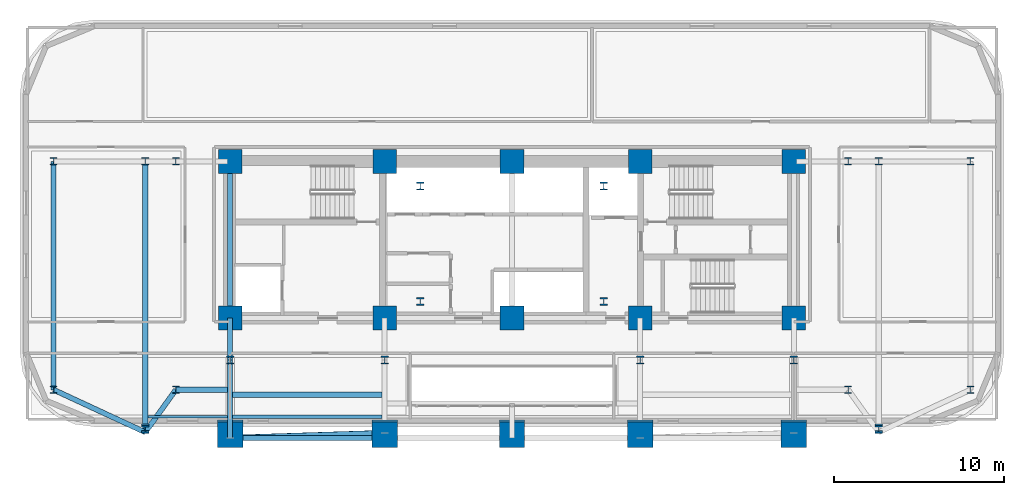
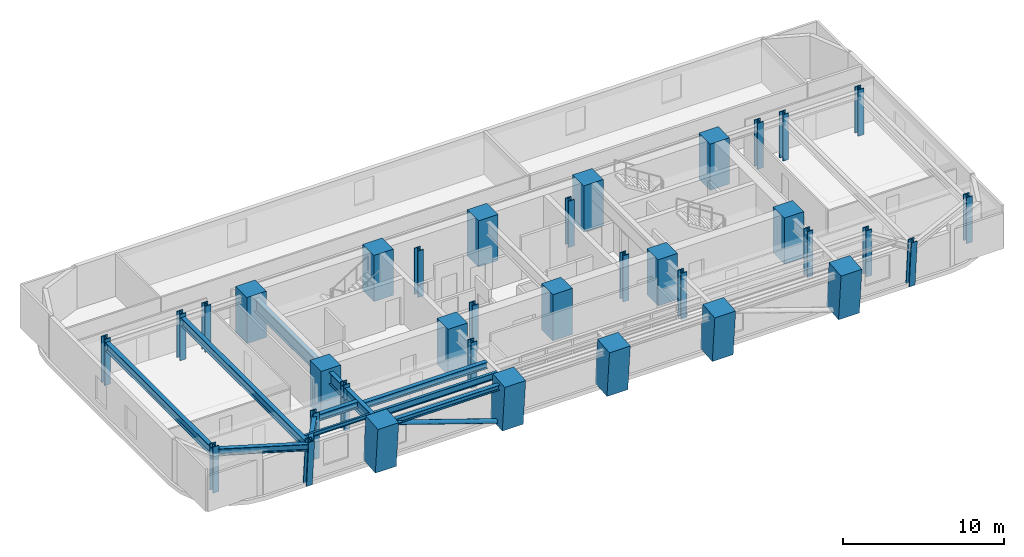
# One storey, part 1 of 15: 35 columns, 12 beams, 1 member.
"""IFC4 building model written with IfcOpenShell, lengths in metres."""

from ifc_helpers import new_model, si_unit, direction, frame, origin, origin_2d, place, context, subcontext, project, spatial, rectangle, hollow_circle, i_section, extrude, material, material_profile, profile_set, type_object, element, save


model = new_model("IFC4")

# Units and contexts
model_context = context("Model", 3, precision=1e-05, world=origin(), true_north=direction((0.0, 1.0)))
body_context = subcontext(model_context, "Body", "Model", "MODEL_VIEW")
ifc_project = project(units=[si_unit("LENGTHUNIT", "METRE"), si_unit("AREAUNIT", "SQUARE_METRE"), si_unit("VOLUMEUNIT", "CUBIC_METRE"), si_unit("PLANEANGLEUNIT", "RADIAN"), si_unit("MASSUNIT", "GRAM", prefix="KILO")], contexts=[model_context])

# Site, building, storey
site_placement = place(None, origin())
site = spatial("IfcSite", under=ifc_project, at=site_placement, CompositionType="ELEMENT")
building_placement = place(site_placement, origin())
building = spatial("IfcBuilding", under=site, at=building_placement, Name="Zarnavel Station Tower", CompositionType="ELEMENT")
storey_placement = place(building_placement, frame((0.0, 0.0, 57.0)))
storey = spatial("IfcBuildingStorey", under=building, at=storey_placement, Name="L15", CompositionType="ELEMENT", Elevation=57.0)

# Columns
ifc_material_1 = material(Name="Steel S460M", Category="steel")
ifc_material_profile_1 = material_profile(ifc_material_1, i_section(OverallWidth=0.424072265625, OverallDepth=0.449951171875, WebThickness=0.041015625, FlangeThickness=0.06494140625, FilletRadius=0.014892578125, at=origin_2d()), Name="HD400x509")
ifc_profile_set_1 = profile_set([ifc_material_profile_1], Name="Steel S460M")
column_type_1 = type_object("IfcColumnType", Name="EC_HD509", PredefinedType="COLUMN", material=ifc_profile_set_1)
for number, where, z_axis, x_axis, name in (
    (1, (1.800048828125, 23.60009765625, 0.0), (0.0, 0.0, 1.0), (1.0, 0.0, 0.0), "L15 Outer Wing South Column 1"),
    (2, (1.800048828125, 37.050048828125, 0.0), (0.0, 0.0, 1.0), (1.0, 0.0, 0.0), "L15 Outer Wing North Column 1"),
):
    element("IfcColumn", number, at=place(storey_placement, frame(where, z_axis=z_axis, x_axis=x_axis)), inside=storey, type_object=column_type_1, Name=name, PredefinedType="COLUMN", context=body_context, shape_type="SweptSolid", body=[
        extrude(i_section(OverallWidth=0.424072265625, OverallDepth=0.449951171875, WebThickness=0.041015625, FlangeThickness=0.06494140625, FilletRadius=0.014892578125, at=origin_2d()), origin(), (0.0, 0.0, 1.0), 3.5),
    ])
for number, where, z_axis, x_axis, name in (
    (3, (7.199951171875, 21.355712890625, 0.0), (0.0, -0.079891690793, 0.996803550226), (1.0, 0.0, 0.0), "L15 Raked Wing Column 2"),
    (4, (50.39990234375, 21.355712890625, 0.0), (0.0, -0.079891690793, 0.996803550226), (1.0, 0.0, 0.0), "L15 Raked Wing Column 3"),
):
    element("IfcColumn", number, at=place(storey_placement, frame(where, z_axis=z_axis, x_axis=x_axis)), inside=storey, type_object=column_type_1, Name=name, PredefinedType="COLUMN", context=body_context, shape_type="SweptSolid", body=[
        extrude(i_section(OverallWidth=0.424072265625, OverallDepth=0.449951171875, WebThickness=0.041015625, FlangeThickness=0.06494140625, FilletRadius=0.014892578125, at=origin_2d()), origin(), (0.0, 0.0, 1.0), 3.51123046875),
    ])
for number, where, z_axis, x_axis, name in (
    (5, (55.800048828125, 23.60009765625, 0.0), (0.0, 0.0, 1.0), (1.0, 0.0, 0.0), "L15 Outer Wing South Column 4"),
    (6, (55.800048828125, 37.050048828125, 0.0), (0.0, 0.0, 1.0), (1.0, 0.0, 0.0), "L15 Outer Wing North Column 4"),
):
    element("IfcColumn", number, at=place(storey_placement, frame(where, z_axis=z_axis, x_axis=x_axis)), inside=storey, type_object=column_type_1, Name=name, PredefinedType="COLUMN", context=body_context, shape_type="SweptSolid", body=[
        extrude(i_section(OverallWidth=0.424072265625, OverallDepth=0.449951171875, WebThickness=0.041015625, FlangeThickness=0.06494140625, FilletRadius=0.014892578125, at=origin_2d()), origin(), (0.0, 0.0, 1.0), 3.5),
    ])
ifc_material_2 = material(Name="Steel S460M", Category="steel")
ifc_material_profile_2 = material_profile(ifc_material_2, i_section(OverallWidth=0.424072265625, OverallDepth=0.449951171875, WebThickness=0.041015625, FlangeThickness=0.06494140625, FilletRadius=0.014892578125, at=origin_2d()), Name="HD400x509")
ifc_profile_set_2 = profile_set([ifc_material_profile_2], Name="Steel S460M")
column_type_2 = type_object("IfcColumnType", Name="IC_HD509", PredefinedType="COLUMN", material=ifc_profile_set_2)
for number, where, z_axis, x_axis, name in (
    (7, (23.39990234375, 28.800048828125, 0.0), (0.0, 0.0, 1.0), (1.0, 0.0, 0.0), "L15 Mast Spine Column 1"),
    (8, (34.199951171875, 28.800048828125, 0.0), (0.0, 0.0, 1.0), (1.0, 0.0, 0.0), "L15 Mast Spine Column 2"),
    (9, (34.199951171875, 35.60009765625, 0.0), (0.0, 0.0, 1.0), (1.0, 0.0, 0.0), "L15 Mast Spine Column 3"),
    (10, (23.39990234375, 35.60009765625, 0.0), (0.0, 0.0, 1.0), (1.0, 0.0, 0.0), "L15 Mast Spine Column 4"),
    (11, (12.199951171875, 25.35009765625, 0.0), (0.0, 0.0, 1.0), (1.0, 0.0, 0.0), "L15 Inner Spine Column 1"),
    (12, (21.300048828125, 25.35009765625, 0.0), (0.0, 0.0, 1.0), (1.0, 0.0, 0.0), "L15 Inner Spine Column 2"),
    (13, (36.35009765625, 25.35009765625, 0.0), (0.0, 0.0, 1.0), (1.0, 0.0, 0.0), "L15 Inner Spine Column 4"),
    (14, (45.39990234375, 25.35009765625, 0.0), (0.0, 0.0, 1.0), (1.0, 0.0, 0.0), "L15 Inner Spine Column 5"),
    (15, (9.0, 23.60009765625, 0.0), (0.0, 0.0, 1.0), (1.0, 0.0, 0.0), "L15 Inner Wing Spine Column 1-1"),
    (16, (9.0, 37.050048828125, 0.0), (0.0, 0.0, 1.0), (1.0, 0.0, 0.0), "L15 Inner Wing Spine Column 1-2"),
    (17, (48.60009765625, 23.60009765625, 0.0), (0.0, 0.0, 1.0), (1.0, 0.0, 0.0), "L15 Inner Wing Spine Column 2-1"),
    (18, (48.60009765625, 37.050048828125, 0.0), (0.0, 0.0, 1.0), (1.0, 0.0, 0.0), "L15 Inner Wing Spine Column 2-2"),
    (19, (7.199951171875, 37.050048828125, 0.0), (0.0, 0.0, 1.0), (1.0, 0.0, 0.0), "L15 Outer Wing North Column 2"),
    (20, (50.39990234375, 37.050048828125, 0.0), (0.0, 0.0, 1.0), (1.0, 0.0, 0.0), "L15 Outer Wing North Column 3"),
):
    element("IfcColumn", number, at=place(storey_placement, frame(where, z_axis=z_axis, x_axis=x_axis)), inside=storey, type_object=column_type_2, Name=name, PredefinedType="COLUMN", context=body_context, shape_type="SweptSolid", body=[
        extrude(i_section(OverallWidth=0.424072265625, OverallDepth=0.449951171875, WebThickness=0.041015625, FlangeThickness=0.06494140625, FilletRadius=0.014892578125, at=origin_2d()), origin(), (0.0, 0.0, 1.0), 3.5),
    ])
ifc_material_3 = material(Name="Concrete C60/75", Category="concrete")
ifc_material_profile_3 = material_profile(ifc_material_3, rectangle(XDim=1.39990234375, YDim=1.39990234375, at=origin_2d()), Name="RC1400x1400")
ifc_profile_set_3 = profile_set([ifc_material_profile_3], Name="Concrete C60/75")
column_type_3 = type_object("IfcColumnType", Name="IC_RC1400", PredefinedType="COLUMN", material=ifc_profile_set_3)
for number, where, z_axis, x_axis, name in (
    (21, (12.199951171875, 27.820068359375, 0.0), (0.0, 0.0, 1.0), (1.0, 0.0, 0.0), "L15 Core Spine Column 1-1"),
    (22, (12.199951171875, 37.050048828125, 0.0), (0.0, 0.0, 1.0), (1.0, 0.0, 0.0), "L15 Core Spine Column 1-2"),
    (23, (21.300048828125, 27.820068359375, 0.0), (0.0, 0.0, 1.0), (1.0, 0.0, 0.0), "L15 Core Spine Column 2-1"),
    (24, (21.300048828125, 37.050048828125, 0.0), (0.0, 0.0, 1.0), (1.0, 0.0, 0.0), "L15 Core Spine Column 2-2"),
    (25, (28.800048828125, 27.820068359375, 0.0), (0.0, 0.0, 1.0), (1.0, 0.0, 0.0), "L15 Core Spine Column 3-1"),
    (26, (28.800048828125, 37.050048828125, 0.0), (0.0, 0.0, 1.0), (1.0, 0.0, 0.0), "L15 Core Spine Column 3-2"),
    (27, (36.35009765625, 27.820068359375, 0.0), (0.0, 0.0, 1.0), (1.0, 0.0, 0.0), "L15 Core Spine Column 4-1"),
    (28, (36.35009765625, 37.050048828125, 0.0), (0.0, 0.0, 1.0), (1.0, 0.0, 0.0), "L15 Core Spine Column 4-2"),
    (29, (45.39990234375, 27.820068359375, 0.0), (0.0, 0.0, 1.0), (1.0, 0.0, 0.0), "L15 Core Spine Column 5-1"),
    (30, (45.39990234375, 37.050048828125, 0.0), (0.0, 0.0, 1.0), (1.0, 0.0, 0.0), "L15 Core Spine Column 5-2"),
):
    element("IfcColumn", number, at=place(storey_placement, frame(where, z_axis=z_axis, x_axis=x_axis)), inside=storey, type_object=column_type_3, Name=name, PredefinedType="COLUMN", context=body_context, shape_type="SweptSolid", body=[
        extrude(rectangle(XDim=1.39990234375, YDim=1.39990234375, at=origin_2d()), origin(), (0.0, 0.0, 1.0), 3.5),
    ])
ifc_material_4 = material(Name="Concrete C60/75", Category="concrete")
ifc_material_profile_4 = material_profile(ifc_material_4, rectangle(XDim=1.5, YDim=1.5, at=origin_2d()), Name="RC1500x1500")
ifc_profile_set_4 = profile_set([ifc_material_profile_4], Name="Concrete C60/75")
column_type_4 = type_object("IfcColumnType", Name="MC_RC1500", PredefinedType="COLUMN", material=ifc_profile_set_4)
for number, where, z_axis, x_axis, name in (
    (31, (12.199951171875, 21.0625, 0.0), (0.0, -0.090172444535, 0.995926167066), (1.0, 0.0, 0.0), "L15 Raked South Mega-Column 1"),
    (32, (21.300048828125, 21.0625, 0.0), (0.0, -0.090172444535, 0.995926167066), (1.0, 0.0, 0.0), "L15 Raked South Mega-Column 2"),
    (33, (28.800048828125, 21.0625, 0.0), (0.0, -0.090172444535, 0.995926167066), (1.0, 0.0, 0.0), "L15 Raked South Mega-Column 3"),
    (34, (36.35009765625, 21.0625, 0.0), (0.0, -0.090172444535, 0.995926167066), (1.0, 0.0, 0.0), "L15 Raked South Mega-Column 4"),
    (35, (45.39990234375, 21.0625, 0.0), (0.0, -0.090172444535, 0.995926167066), (1.0, 0.0, 0.0), "L15 Raked South Mega-Column 5"),
):
    element("IfcColumn", number, at=place(storey_placement, frame(where, z_axis=z_axis, x_axis=x_axis)), inside=storey, type_object=column_type_4, Name=name, PredefinedType="COLUMN", context=body_context, shape_type="SweptSolid", body=[
        extrude(rectangle(XDim=1.5, YDim=1.5, at=origin_2d()), origin(), (0.0, 0.0, 1.0), 3.514404296875),
    ])

# Member
ifc_material_5 = material(Name="Steel S355J2", Category="steel")
ifc_material_profile_5 = material_profile(ifc_material_5, hollow_circle(Radius=0.161865234375, WallThickness=0.012451171875, at=origin_2d()), Name="CHS323.9x12.5")
ifc_profile_set_5 = profile_set([ifc_material_profile_5], Name="Steel S355J2")
member_type = type_object("IfcMemberType", Name="DB_EXT_CHS324", PredefinedType="BRACE", material=ifc_profile_set_5)
member_placement = place(storey_placement, frame((21.300048828125, 21.0625, 0.0), z_axis=(-0.941636397979, -0.030365588624, 0.335259339958), x_axis=(0.032230925026, -0.999480448769, 0.0)))
element("IfcMember", 36, at=member_placement, inside=storey, type_object=member_type, Name="L15 Persian Exterior Diagonal Frame Brace 1", PredefinedType="BRACE", context=body_context, shape_type="SweptSolid", body=[
    extrude(hollow_circle(Radius=0.161865234375, WallThickness=0.012451171875, at=origin_2d()), origin(), (0.0, 0.0, 1.0), 9.6640625),
])

# Beams
ifc_material_6 = material(Name="Steel S355J2", Category="steel")
ifc_material_profile_6 = material_profile(ifc_material_6, i_section(OverallWidth=0.300048828125, OverallDepth=0.39990234375, WebThickness=0.013427734375, FlangeThickness=0.02392578125, FilletRadius=0.027099609375, at=origin_2d()), Name="HEB400")
ifc_profile_set_6 = profile_set([ifc_material_profile_6], Name="Steel S355J2")
beam_type_1 = type_object("IfcBeamType", Name="EB_HEB400", PredefinedType="SPANDREL", material=ifc_profile_set_6)
beam_1_placement = place(storey_placement, frame((12.199951171875, 20.76904296875, 3.0400390625), z_axis=(1.0, 0.0, 0.0), x_axis=(0.0, 1.0, 0.0)))
element("IfcBeam", 37, at=beam_1_placement, inside=storey, type_object=beam_type_1, Name="L15 South Raked Spandrel 1", PredefinedType="SPANDREL", context=body_context, shape_type="SweptSolid", body=[
    extrude(i_section(OverallWidth=0.300048828125, OverallDepth=0.39990234375, WebThickness=0.013427734375, FlangeThickness=0.02392578125, FilletRadius=0.027099609375, at=origin_2d()), origin(), (0.0, 0.0, 1.0), 9.10009765625),
])
ifc_material_7 = material(Name="Steel S355J2", Category="steel")
ifc_material_profile_7 = material_profile(ifc_material_7, i_section(OverallWidth=0.300048828125, OverallDepth=0.489990234375, WebThickness=0.011962890625, FlangeThickness=0.02294921875, FilletRadius=0.027099609375, at=origin_2d()), Name="HEA500")
ifc_profile_set_7 = profile_set([ifc_material_profile_7], Name="Steel S355J2")
beam_type_2 = type_object("IfcBeamType", Name="FB_HEA500", PredefinedType="BEAM", material=ifc_profile_set_7)
beam_2_placement = place(storey_placement, frame((12.344970703125, 23.306396484375, 2.9951171875), z_axis=(1.0, 0.0, 0.0), x_axis=(0.0, 1.0, 0.0)))
element("IfcBeam", 38, at=beam_2_placement, inside=storey, type_object=beam_type_2, Name="L15 West Bay Beam 2", PredefinedType="BEAM", context=body_context, shape_type="SweptSolid", body=[
    extrude(i_section(OverallWidth=0.300048828125, OverallDepth=0.489990234375, WebThickness=0.011962890625, FlangeThickness=0.02294921875, FilletRadius=0.027099609375, at=origin_2d()), origin(), (0.0, 0.0, 1.0), 8.81005859375),
])
ifc_material_8 = material(Name="Steel S355J2", Category="steel")
ifc_material_profile_8 = material_profile(ifc_material_8, i_section(OverallWidth=0.199951171875, OverallDepth=0.5, WebThickness=0.01025390625, FlangeThickness=0.01611328125, FilletRadius=0.02099609375, at=origin_2d()), Name="IPE500")
ifc_profile_set_8 = profile_set([ifc_material_profile_8], Name="Steel S355J2")
beam_type_3 = type_object("IfcBeamType", Name="FB_IPE500", PredefinedType="BEAM", material=ifc_profile_set_8)
beam_3_placement = place(storey_placement, frame((12.344970703125, 22.0126953125, 2.989990234375), z_axis=(1.0, 0.0, 0.0), x_axis=(0.0, 1.0, 0.0)))
element("IfcBeam", 39, at=beam_3_placement, inside=storey, type_object=beam_type_3, Name="L15 West Bay Beam 1", PredefinedType="BEAM", context=body_context, shape_type="SweptSolid", body=[
    extrude(i_section(OverallWidth=0.199951171875, OverallDepth=0.5, WebThickness=0.01025390625, FlangeThickness=0.01611328125, FilletRadius=0.02099609375, at=origin_2d()), origin(), (0.0, 0.0, 1.0), 8.81005859375),
])
ifc_material_9 = material(Name="Steel S355J2", Category="steel")
ifc_material_profile_9 = material_profile(ifc_material_9, i_section(OverallWidth=0.300048828125, OverallDepth=0.5, WebThickness=0.014404296875, FlangeThickness=0.028076171875, FilletRadius=0.027099609375, at=origin_2d()), Name="HEB500")
ifc_profile_set_9 = profile_set([ifc_material_profile_9], Name="Steel S355J2")
beam_type_4 = type_object("IfcBeamType", Name="FG_HEB500", PredefinedType="USERDEFINED", material=ifc_profile_set_9)
beam_4_placement = place(storey_placement, frame((1.800048828125, 23.60009765625, 2.989990234375), z_axis=(0.907213644142, -0.420670184209, 0.0), x_axis=(0.420670184209, 0.907213644142, 0.0)))
element("IfcBeam", 40, at=beam_4_placement, inside=storey, type_object=beam_type_4, Name="L15 West Wing South Tie 1", ObjectType="GIRDER", PredefinedType="USERDEFINED", context=body_context, shape_type="SweptSolid", body=[
    extrude(i_section(OverallWidth=0.300048828125, OverallDepth=0.5, WebThickness=0.014404296875, FlangeThickness=0.028076171875, FilletRadius=0.027099609375, at=origin_2d()), origin(), (0.0, 0.0, 1.0), 5.9521484375),
])
beam_5_placement = place(storey_placement, frame((7.199951171875, 21.09619140625, 2.989990234375), z_axis=(0.583714347987, 0.811959087611, 0.0), x_axis=(-0.811959087611, 0.583714347987, 0.0)))
element("IfcBeam", 41, at=beam_5_placement, inside=storey, type_object=beam_type_4, Name="L15 West Wing South Tie 2", ObjectType="GIRDER", PredefinedType="USERDEFINED", context=body_context, shape_type="SweptSolid", body=[
    extrude(i_section(OverallWidth=0.300048828125, OverallDepth=0.5, WebThickness=0.014404296875, FlangeThickness=0.028076171875, FilletRadius=0.027099609375, at=origin_2d()), origin(), (0.0, 0.0, 1.0), 3.083740234375),
])
beam_6_placement = place(storey_placement, frame((9.0, 23.60009765625, 2.989990234375), z_axis=(1.0, 0.0, 0.0), x_axis=(0.0, 1.0, 0.0)))
element("IfcBeam", 42, at=beam_6_placement, inside=storey, type_object=beam_type_4, Name="L15 West Wing South Tie 3", ObjectType="GIRDER", PredefinedType="USERDEFINED", context=body_context, shape_type="SweptSolid", body=[
    extrude(i_section(OverallWidth=0.300048828125, OverallDepth=0.5, WebThickness=0.014404296875, FlangeThickness=0.028076171875, FilletRadius=0.027099609375, at=origin_2d()), origin(), (0.0, 0.0, 1.0), 3.054931640625),
])
ifc_material_10 = material(Name="Steel S355J2", Category="steel")
ifc_material_profile_10 = material_profile(ifc_material_10, i_section(OverallWidth=0.300048828125, OverallDepth=0.64990234375, WebThickness=0.01611328125, FlangeThickness=0.031005859375, FilletRadius=0.027099609375, at=origin_2d()), Name="HEB650")
ifc_profile_set_10 = profile_set([ifc_material_profile_10], Name="Steel S355J2")
beam_type_5 = type_object("IfcBeamType", Name="FG_HEB650", PredefinedType="USERDEFINED", material=ifc_profile_set_10)
beam_7_placement = place(storey_placement, frame((1.800048828125, 23.60009765625, 2.9150390625), z_axis=(0.0, 1.0, 0.0), x_axis=(-1.0, 0.0, 0.0)))
element("IfcBeam", 43, at=beam_7_placement, inside=storey, type_object=beam_type_5, Name="L15 Wing NS Girder 1", ObjectType="GIRDER", PredefinedType="USERDEFINED", context=body_context, shape_type="SweptSolid", body=[
    extrude(i_section(OverallWidth=0.300048828125, OverallDepth=0.64990234375, WebThickness=0.01611328125, FlangeThickness=0.031005859375, FilletRadius=0.027099609375, at=origin_2d()), origin(), (0.0, 0.0, 1.0), 13.449951171875),
])
beam_8_placement = place(storey_placement, frame((7.199951171875, 21.09619140625, 2.9150390625), z_axis=(0.0, 1.0, 0.0), x_axis=(-1.0, 0.0, 0.0)))
element("IfcBeam", 44, at=beam_8_placement, inside=storey, type_object=beam_type_5, Name="L15 Wing NS Girder 2", ObjectType="GIRDER", PredefinedType="USERDEFINED", context=body_context, shape_type="SweptSolid", body=[
    extrude(i_section(OverallWidth=0.300048828125, OverallDepth=0.64990234375, WebThickness=0.01611328125, FlangeThickness=0.031005859375, FilletRadius=0.027099609375, at=origin_2d()), origin(), (0.0, 0.0, 1.0), 15.953857421875),
])
ifc_material_11 = material(Name="Steel S355J2", Category="steel")
ifc_material_profile_11 = material_profile(ifc_material_11, i_section(OverallWidth=0.14990234375, OverallDepth=0.300048828125, WebThickness=0.007080078125, FlangeThickness=0.0107421875, FilletRadius=0.014892578125, at=origin_2d()), Name="IPE300")
ifc_profile_set_11 = profile_set([ifc_material_profile_11], Name="Steel S355J2")
beam_type_6 = type_object("IfcBeamType", Name="FJ_IPE300", PredefinedType="JOIST", material=ifc_profile_set_11)
beam_9_placement = place(storey_placement, frame((7.344970703125, 22.0126953125, 3.090087890625), z_axis=(1.0, 0.0, 0.0), x_axis=(0.0, 1.0, 0.0)))
element("IfcBeam", 45, at=beam_9_placement, inside=storey, type_object=beam_type_6, Name="L15 West Wing Joist 1", PredefinedType="JOIST", context=body_context, shape_type="SweptSolid", body=[
    extrude(i_section(OverallWidth=0.14990234375, OverallDepth=0.300048828125, WebThickness=0.007080078125, FlangeThickness=0.0107421875, FilletRadius=0.014892578125, at=origin_2d()), origin(), (0.0, 0.0, 1.0), 4.7099609375),
])
ifc_material_12 = material(Name="Steel S460M", Category="steel")
ifc_material_profile_12 = material_profile(ifc_material_12, i_section(OverallWidth=0.302001953125, OverallDepth=1.008056640625, WebThickness=0.02099609375, FlangeThickness=0.0400390625, FilletRadius=0.030029296875, at=origin_2d()), Name="HEM1000")
ifc_profile_set_12 = profile_set([ifc_material_profile_12], Name="Steel S460M")
beam_type_7 = type_object("IfcBeamType", Name="TG_HEM1000", PredefinedType="USERDEFINED", material=ifc_profile_set_12)
beam_10_placement = place(storey_placement, frame((12.199951171875, 27.820068359375, 2.736083984375), z_axis=(0.0, 1.0, 0.0), x_axis=(-1.0, 0.0, 0.0)))
element("IfcBeam", 46, at=beam_10_placement, inside=storey, type_object=beam_type_7, Name="L15 Core Spine Coupling Girder 1", ObjectType="GIRDER", PredefinedType="USERDEFINED", context=body_context, shape_type="SweptSolid", body=[
    extrude(i_section(OverallWidth=0.302001953125, OverallDepth=1.008056640625, WebThickness=0.02099609375, FlangeThickness=0.0400390625, FilletRadius=0.030029296875, at=origin_2d()), origin(), (0.0, 0.0, 1.0), 9.22998046875),
])
ifc_material_13 = material(Name="Steel S460M", Category="steel")
ifc_material_profile_13 = material_profile(ifc_material_13, i_section(OverallWidth=0.302001953125, OverallDepth=0.909912109375, WebThickness=0.02099609375, FlangeThickness=0.0400390625, FilletRadius=0.030029296875, at=origin_2d()), Name="HEM900")
ifc_profile_set_13 = profile_set([ifc_material_profile_13], Name="Steel S460M")
beam_type_8 = type_object("IfcBeamType", Name="TG_HEM900", PredefinedType="USERDEFINED", material=ifc_profile_set_13)
beam_11_placement = place(storey_placement, frame((12.199951171875, 20.76904296875, 2.784912109375), z_axis=(0.0, 1.0, 0.0), x_axis=(-1.0, 0.0, 0.0)))
element("IfcBeam", 47, at=beam_11_placement, inside=storey, type_object=beam_type_8, Name="L15 South-Zone NS Girder 1", ObjectType="GIRDER", PredefinedType="USERDEFINED", context=body_context, shape_type="SweptSolid", body=[
    extrude(i_section(OverallWidth=0.302001953125, OverallDepth=0.909912109375, WebThickness=0.02099609375, FlangeThickness=0.0400390625, FilletRadius=0.030029296875, at=origin_2d()), origin(), (0.0, 0.0, 1.0), 4.5810546875),
])
beam_12_placement = place(storey_placement, frame((12.199951171875, 25.35009765625, 2.784912109375), z_axis=(0.0, 1.0, 0.0), x_axis=(-1.0, 0.0, 0.0)))
element("IfcBeam", 48, at=beam_12_placement, inside=storey, type_object=beam_type_8, Name="L15 Inner-Zone NS Girder 1", ObjectType="GIRDER", PredefinedType="USERDEFINED", context=body_context, shape_type="SweptSolid", body=[
    extrude(i_section(OverallWidth=0.302001953125, OverallDepth=0.909912109375, WebThickness=0.02099609375, FlangeThickness=0.0400390625, FilletRadius=0.030029296875, at=origin_2d()), origin(), (0.0, 0.0, 1.0), 2.469970703125),
])

save(model, "model.ifc")
